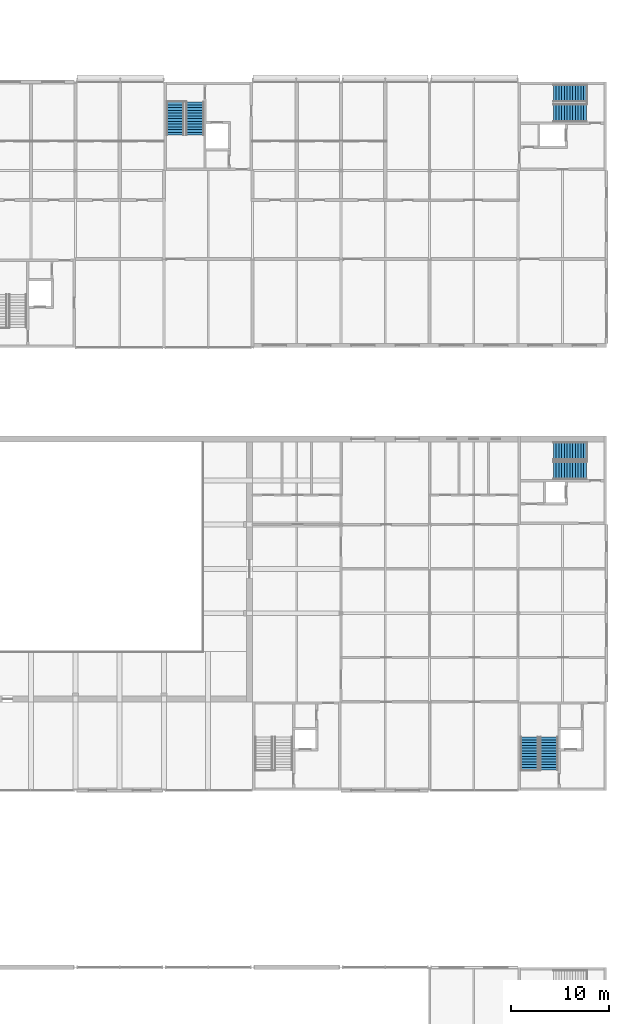
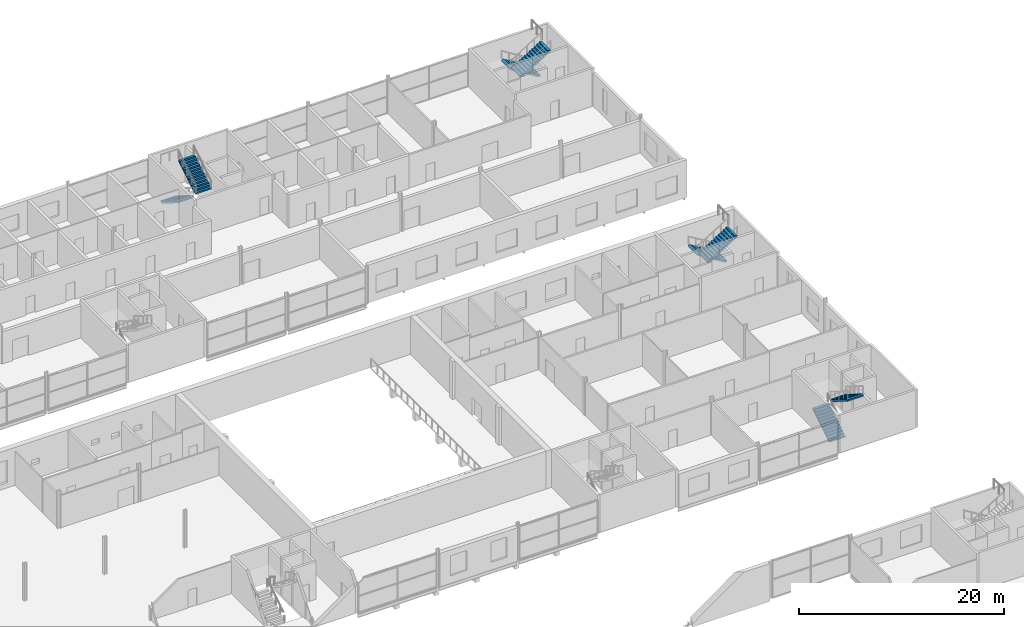
# One storey, part 89 of 97: 8 stair flights, 4 elements without a shape of their own.
"""IFC4 building model written with IfcOpenShell, lengths in metres."""

from ifc_helpers import new_model, si_unit, direction, frame, origin, place, context, subcontext, project, spatial, polyline, outline, extrude, material, type_object, element, aggregate, save


model = new_model("IFC4")

# Units and contexts
model_context = context("Model", 3, precision=1e-05, world=origin(), true_north=direction((0.0, 1.0)))
body_context = subcontext(model_context, "Body", "Model", "MODEL_VIEW")
ifc_project = project(units=[si_unit("LENGTHUNIT", "METRE"), si_unit("AREAUNIT", "SQUARE_METRE"), si_unit("VOLUMEUNIT", "CUBIC_METRE"), si_unit("PLANEANGLEUNIT", "RADIAN"), si_unit("MASSUNIT", "GRAM", prefix="KILO")], contexts=[model_context])

# Site, building, storey
site_placement = place(None, origin())
site = spatial("IfcSite", under=ifc_project, at=site_placement, CompositionType="ELEMENT")
building_placement = place(site_placement, origin())
building = spatial("IfcBuilding", under=site, at=building_placement, Name="Corbel Yard City Hall", CompositionType="ELEMENT")
storey_placement = place(building_placement, frame((0.0, 0.0, 6.0)))
storey = spatial("IfcBuildingStorey", under=building, at=storey_placement, Name="L01", CompositionType="ELEMENT", Elevation=6.0)

# Stair, stair flights
ifc_material = material(Name="Concrete N40 (40 MPa)", Category="concrete")
stair_type = type_object("IfcStairType", Name="ST1", PredefinedType="HALF_TURN_STAIR", material=ifc_material)
stair_1_placement = place(storey_placement, origin())
stair_1 = element("IfcStair", 1, at=stair_1_placement, inside=storey, type_object=stair_type, Name="Exit stair L01", PredefinedType="HALF_TURN_STAIR")
stair_flight_type = type_object("IfcStairFlightType", Name="FL1", PredefinedType="STRAIGHT", material=ifc_material)
stair_flight_1_placement = place(storey_placement, frame((172.14990234375, 47.050048828125, 0.0), z_axis=(0.0, 0.0, 1.0), x_axis=(0.0, 1.0, 0.0)))
stair_flight_1 = element("IfcStairFlight", 2, at=stair_flight_1_placement, type_object=stair_flight_type, Name="PS12 flight 1", NumberOfRisers=13, NumberOfTreads=12, PredefinedType="STRAIGHT", RiserHeight=0.173077, TreadLength=0.28, context=body_context, shape_type="SweptSolid", body=[
    extrude(outline(polyline([(0.0, 0.0), (0.0, 0.173095703125), (0.280029296875, 0.173095703125), (0.280029296875, 0.34619140625), (0.56005859375, 0.34619140625), (0.56005859375, 0.519287109375), (0.840087890625, 0.519287109375), (0.840087890625, 0.6923828125), (1.1201171875, 0.6923828125), (1.1201171875, 0.865478515625), (1.39990234375, 0.865478515625), (1.39990234375, 1.03857421875), (1.679931640625, 1.03857421875), (1.679931640625, 1.21142578125), (1.9599609375, 1.21142578125), (1.9599609375, 1.384521484375), (2.239990234375, 1.384521484375), (2.239990234375, 1.5576171875), (2.52001953125, 1.5576171875), (2.52001953125, 1.730712890625), (2.800048828125, 1.730712890625), (2.800048828125, 1.90380859375), (3.080078125, 1.90380859375), (3.080078125, 2.076904296875), (3.360107421875, 2.076904296875), (3.360107421875, 2.25), (3.360107421875, 1.900634765625), (0.28515625, 0.0), (0.0, 0.0)])), frame((0.0, 0.89990234375, 0.0), z_axis=(0.0, -1.0, 0.0), x_axis=(1.0, 0.0, 0.0)), (0.0, 0.0, 1.0), 1.800048828125),
])
stair_flight_2_placement = place(storey_placement, frame((174.14990234375, 50.409912109375, 2.25), z_axis=(0.0, 0.0, 1.0), x_axis=(0.0, -1.0, 0.0)))
stair_flight_2 = element("IfcStairFlight", 3, at=stair_flight_2_placement, type_object=stair_flight_type, Name="PS12 flight 2", NumberOfRisers=13, NumberOfTreads=12, PredefinedType="STRAIGHT", RiserHeight=0.173077, TreadLength=0.28, context=body_context, shape_type="SweptSolid", body=[
    extrude(outline(polyline([(0.0, 0.0), (0.0, 0.173095703125), (0.280029296875, 0.173095703125), (0.280029296875, 0.34619140625), (0.56005859375, 0.34619140625), (0.56005859375, 0.519287109375), (0.840087890625, 0.519287109375), (0.840087890625, 0.6923828125), (1.1201171875, 0.6923828125), (1.1201171875, 0.865478515625), (1.39990234375, 0.865478515625), (1.39990234375, 1.03857421875), (1.679931640625, 1.03857421875), (1.679931640625, 1.21142578125), (1.9599609375, 1.21142578125), (1.9599609375, 1.384521484375), (2.239990234375, 1.384521484375), (2.239990234375, 1.5576171875), (2.52001953125, 1.5576171875), (2.52001953125, 1.730712890625), (2.800048828125, 1.730712890625), (2.800048828125, 1.90380859375), (3.080078125, 1.90380859375), (3.080078125, 2.076904296875), (3.360107421875, 2.076904296875), (3.360107421875, 2.25), (3.360107421875, 1.900634765625), (0.28515625, 0.0), (0.0, 0.0)])), frame((0.0, 0.89990234375, 0.0), z_axis=(0.0, -1.0, 0.0), x_axis=(1.0, 0.0, 0.0)), (0.0, 0.0, 1.0), 1.800048828125),
])
aggregate(stair_1, [stair_flight_1, stair_flight_2])

stair_2_placement = place(storey_placement, origin())
stair_2 = element("IfcStair", 4, at=stair_2_placement, inside=storey, type_object=stair_type, Name="Exit stair L01", PredefinedType="HALF_TURN_STAIR")
stair_flight_3_placement = place(storey_placement, frame((177.949951171875, 79.5, 0.0), z_axis=(0.0, 0.0, 1.0), x_axis=(-1.0, 0.0, 0.0)))
stair_flight_3 = element("IfcStairFlight", 5, at=stair_flight_3_placement, type_object=stair_flight_type, Name="PS15 flight 1", NumberOfRisers=13, NumberOfTreads=12, PredefinedType="STRAIGHT", RiserHeight=0.173077, TreadLength=0.28, context=body_context, shape_type="SweptSolid", body=[
    extrude(outline(polyline([(0.0, 0.0), (0.0, 0.173095703125), (0.280029296875, 0.173095703125), (0.280029296875, 0.34619140625), (0.56005859375, 0.34619140625), (0.56005859375, 0.519287109375), (0.840087890625, 0.519287109375), (0.840087890625, 0.6923828125), (1.1201171875, 0.6923828125), (1.1201171875, 0.865478515625), (1.39990234375, 0.865478515625), (1.39990234375, 1.03857421875), (1.679931640625, 1.03857421875), (1.679931640625, 1.21142578125), (1.9599609375, 1.21142578125), (1.9599609375, 1.384521484375), (2.239990234375, 1.384521484375), (2.239990234375, 1.5576171875), (2.52001953125, 1.5576171875), (2.52001953125, 1.730712890625), (2.800048828125, 1.730712890625), (2.800048828125, 1.90380859375), (3.080078125, 1.90380859375), (3.080078125, 2.076904296875), (3.360107421875, 2.076904296875), (3.360107421875, 2.25), (3.360107421875, 1.900634765625), (0.28515625, 0.0), (0.0, 0.0)])), frame((0.0, 0.89990234375, 0.0), z_axis=(0.0, -1.0, 0.0), x_axis=(1.0, 0.0, 0.0)), (0.0, 0.0, 1.0), 1.800048828125),
])
stair_flight_4_placement = place(storey_placement, frame((174.590087890625, 77.5, 2.25), z_axis=(0.0, 0.0, 1.0), x_axis=(1.0, 0.0, 0.0)))
stair_flight_4 = element("IfcStairFlight", 6, at=stair_flight_4_placement, type_object=stair_flight_type, Name="PS15 flight 2", NumberOfRisers=13, NumberOfTreads=12, PredefinedType="STRAIGHT", RiserHeight=0.173077, TreadLength=0.28, context=body_context, shape_type="SweptSolid", body=[
    extrude(outline(polyline([(0.0, 0.0), (0.0, 0.173095703125), (0.280029296875, 0.173095703125), (0.280029296875, 0.34619140625), (0.56005859375, 0.34619140625), (0.56005859375, 0.519287109375), (0.840087890625, 0.519287109375), (0.840087890625, 0.6923828125), (1.1201171875, 0.6923828125), (1.1201171875, 0.865478515625), (1.39990234375, 0.865478515625), (1.39990234375, 1.03857421875), (1.679931640625, 1.03857421875), (1.679931640625, 1.21142578125), (1.9599609375, 1.21142578125), (1.9599609375, 1.384521484375), (2.239990234375, 1.384521484375), (2.239990234375, 1.5576171875), (2.52001953125, 1.5576171875), (2.52001953125, 1.730712890625), (2.800048828125, 1.730712890625), (2.800048828125, 1.90380859375), (3.080078125, 1.90380859375), (3.080078125, 2.076904296875), (3.360107421875, 2.076904296875), (3.360107421875, 2.25), (3.360107421875, 1.900634765625), (0.28515625, 0.0), (0.0, 0.0)])), frame((0.0, 0.89990234375, 0.0), z_axis=(0.0, -1.0, 0.0), x_axis=(1.0, 0.0, 0.0)), (0.0, 0.0, 1.0), 1.800048828125),
])
aggregate(stair_2, [stair_flight_3, stair_flight_4])

stair_3_placement = place(storey_placement, origin())
stair_3 = element("IfcStair", 7, at=stair_3_placement, inside=storey, type_object=stair_type, Name="Exit stair L01", PredefinedType="HALF_TURN_STAIR")
stair_flight_5_placement = place(storey_placement, frame((136.14990234375, 114.949951171875, 0.0), z_axis=(0.0, 0.0, 1.0), x_axis=(0.0, -1.0, 0.0)))
stair_flight_5 = element("IfcStairFlight", 8, at=stair_flight_5_placement, type_object=stair_flight_type, Name="PS18 flight 1", NumberOfRisers=13, NumberOfTreads=12, PredefinedType="STRAIGHT", RiserHeight=0.173077, TreadLength=0.28, context=body_context, shape_type="SweptSolid", body=[
    extrude(outline(polyline([(0.0, 0.0), (0.0, 0.173095703125), (0.280029296875, 0.173095703125), (0.280029296875, 0.34619140625), (0.56005859375, 0.34619140625), (0.56005859375, 0.519287109375), (0.840087890625, 0.519287109375), (0.840087890625, 0.6923828125), (1.1201171875, 0.6923828125), (1.1201171875, 0.865478515625), (1.39990234375, 0.865478515625), (1.39990234375, 1.03857421875), (1.679931640625, 1.03857421875), (1.679931640625, 1.21142578125), (1.9599609375, 1.21142578125), (1.9599609375, 1.384521484375), (2.239990234375, 1.384521484375), (2.239990234375, 1.5576171875), (2.52001953125, 1.5576171875), (2.52001953125, 1.730712890625), (2.800048828125, 1.730712890625), (2.800048828125, 1.90380859375), (3.080078125, 1.90380859375), (3.080078125, 2.076904296875), (3.360107421875, 2.076904296875), (3.360107421875, 2.25), (3.360107421875, 1.900634765625), (0.28515625, 0.0), (0.0, 0.0)])), frame((0.0, 0.89990234375, 0.0), z_axis=(0.0, -1.0, 0.0), x_axis=(1.0, 0.0, 0.0)), (0.0, 0.0, 1.0), 1.800048828125),
])
stair_flight_6_placement = place(storey_placement, frame((138.14990234375, 111.590087890625, 2.25), z_axis=(0.0, 0.0, 1.0), x_axis=(0.0, 1.0, 0.0)))
stair_flight_6 = element("IfcStairFlight", 9, at=stair_flight_6_placement, type_object=stair_flight_type, Name="PS18 flight 2", NumberOfRisers=13, NumberOfTreads=12, PredefinedType="STRAIGHT", RiserHeight=0.173077, TreadLength=0.28, context=body_context, shape_type="SweptSolid", body=[
    extrude(outline(polyline([(0.0, 0.0), (0.0, 0.173095703125), (0.280029296875, 0.173095703125), (0.280029296875, 0.34619140625), (0.56005859375, 0.34619140625), (0.56005859375, 0.519287109375), (0.840087890625, 0.519287109375), (0.840087890625, 0.6923828125), (1.1201171875, 0.6923828125), (1.1201171875, 0.865478515625), (1.39990234375, 0.865478515625), (1.39990234375, 1.03857421875), (1.679931640625, 1.03857421875), (1.679931640625, 1.21142578125), (1.9599609375, 1.21142578125), (1.9599609375, 1.384521484375), (2.239990234375, 1.384521484375), (2.239990234375, 1.5576171875), (2.52001953125, 1.5576171875), (2.52001953125, 1.730712890625), (2.800048828125, 1.730712890625), (2.800048828125, 1.90380859375), (3.080078125, 1.90380859375), (3.080078125, 2.076904296875), (3.360107421875, 2.076904296875), (3.360107421875, 2.25), (3.360107421875, 1.900634765625), (0.28515625, 0.0), (0.0, 0.0)])), frame((0.0, 0.89990234375, 0.0), z_axis=(0.0, -1.0, 0.0), x_axis=(1.0, 0.0, 0.0)), (0.0, 0.0, 1.0), 1.800048828125),
])
aggregate(stair_3, [stair_flight_5, stair_flight_6])

stair_4_placement = place(storey_placement, origin())
stair_4 = element("IfcStair", 10, at=stair_4_placement, inside=storey, type_object=stair_type, Name="Exit stair L01", PredefinedType="HALF_TURN_STAIR")
stair_flight_7_placement = place(storey_placement, frame((177.949951171875, 115.85009765625, 0.0), z_axis=(0.0, 0.0, 1.0), x_axis=(-1.0, 0.0, 0.0)))
stair_flight_7 = element("IfcStairFlight", 11, at=stair_flight_7_placement, type_object=stair_flight_type, Name="PS19 flight 1", NumberOfRisers=13, NumberOfTreads=12, PredefinedType="STRAIGHT", RiserHeight=0.173077, TreadLength=0.28, context=body_context, shape_type="SweptSolid", body=[
    extrude(outline(polyline([(0.0, 0.0), (0.0, 0.173095703125), (0.280029296875, 0.173095703125), (0.280029296875, 0.34619140625), (0.56005859375, 0.34619140625), (0.56005859375, 0.519287109375), (0.840087890625, 0.519287109375), (0.840087890625, 0.6923828125), (1.1201171875, 0.6923828125), (1.1201171875, 0.865478515625), (1.39990234375, 0.865478515625), (1.39990234375, 1.03857421875), (1.679931640625, 1.03857421875), (1.679931640625, 1.21142578125), (1.9599609375, 1.21142578125), (1.9599609375, 1.384521484375), (2.239990234375, 1.384521484375), (2.239990234375, 1.5576171875), (2.52001953125, 1.5576171875), (2.52001953125, 1.730712890625), (2.800048828125, 1.730712890625), (2.800048828125, 1.90380859375), (3.080078125, 1.90380859375), (3.080078125, 2.076904296875), (3.360107421875, 2.076904296875), (3.360107421875, 2.25), (3.360107421875, 1.900634765625), (0.28515625, 0.0), (0.0, 0.0)])), frame((0.0, 0.89990234375, 0.0), z_axis=(0.0, -1.0, 0.0), x_axis=(1.0, 0.0, 0.0)), (0.0, 0.0, 1.0), 1.800048828125),
])
stair_flight_8_placement = place(storey_placement, frame((174.590087890625, 113.85009765625, 2.25), z_axis=(0.0, 0.0, 1.0), x_axis=(1.0, 0.0, 0.0)))
stair_flight_8 = element("IfcStairFlight", 12, at=stair_flight_8_placement, type_object=stair_flight_type, Name="PS19 flight 2", NumberOfRisers=13, NumberOfTreads=12, PredefinedType="STRAIGHT", RiserHeight=0.173077, TreadLength=0.28, context=body_context, shape_type="SweptSolid", body=[
    extrude(outline(polyline([(0.0, 0.0), (0.0, 0.173095703125), (0.280029296875, 0.173095703125), (0.280029296875, 0.34619140625), (0.56005859375, 0.34619140625), (0.56005859375, 0.519287109375), (0.840087890625, 0.519287109375), (0.840087890625, 0.6923828125), (1.1201171875, 0.6923828125), (1.1201171875, 0.865478515625), (1.39990234375, 0.865478515625), (1.39990234375, 1.03857421875), (1.679931640625, 1.03857421875), (1.679931640625, 1.21142578125), (1.9599609375, 1.21142578125), (1.9599609375, 1.384521484375), (2.239990234375, 1.384521484375), (2.239990234375, 1.5576171875), (2.52001953125, 1.5576171875), (2.52001953125, 1.730712890625), (2.800048828125, 1.730712890625), (2.800048828125, 1.90380859375), (3.080078125, 1.90380859375), (3.080078125, 2.076904296875), (3.360107421875, 2.076904296875), (3.360107421875, 2.25), (3.360107421875, 1.900634765625), (0.28515625, 0.0), (0.0, 0.0)])), frame((0.0, 0.89990234375, 0.0), z_axis=(0.0, -1.0, 0.0), x_axis=(1.0, 0.0, 0.0)), (0.0, 0.0, 1.0), 1.800048828125),
])
aggregate(stair_4, [stair_flight_7, stair_flight_8])

save(model, "model.ifc")
